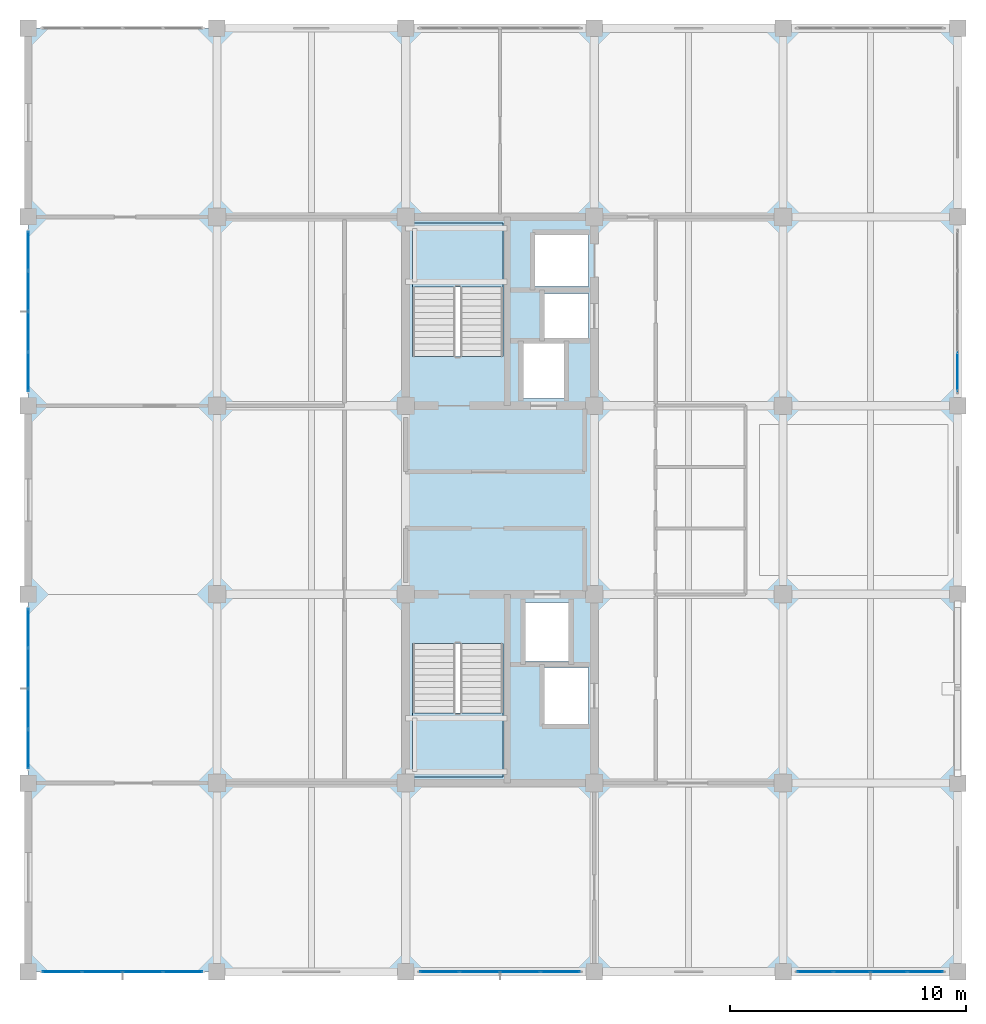
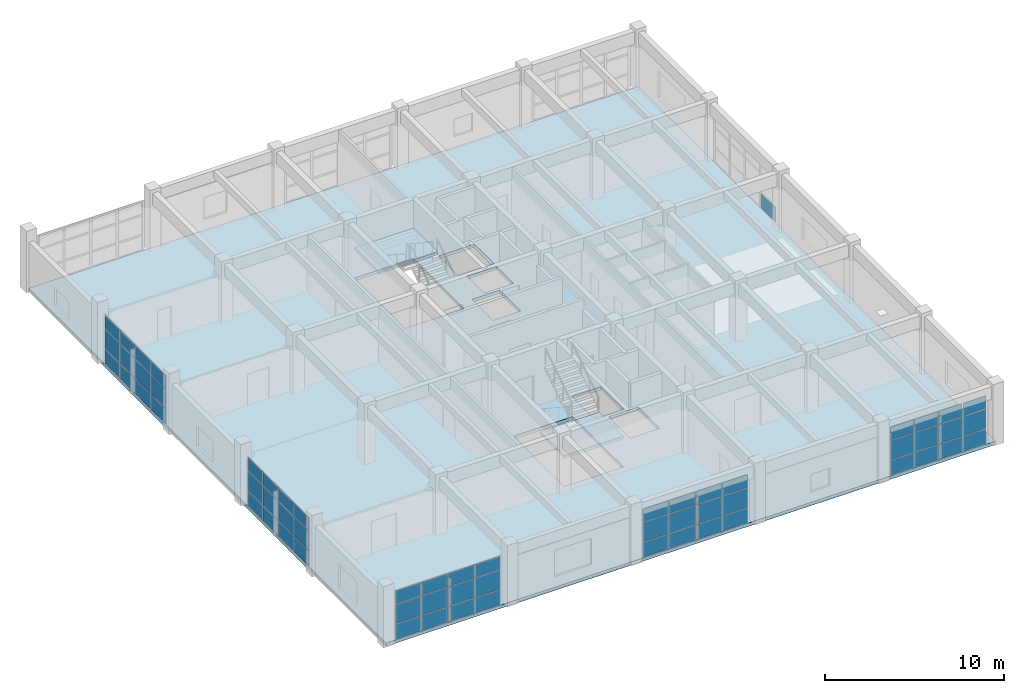
# One storey, part 19 of 27: 61 plates, 3 slabs, 8 elements without a shape of their own.
"""IFC4 building model written with IfcOpenShell, lengths in metres."""

from ifc_helpers import new_model, si_unit, direction, frame, origin, origin_2d, place, context, subcontext, project, spatial, polyline, rectangle, outline, extrude, material, layer, layer_set, type_object, element, aggregate, save


model = new_model("IFC4")

# Units and contexts
model_context = context("Model", 3, precision=1e-05, world=origin(), true_north=direction((0.0, 1.0)))
body_context = subcontext(model_context, "Body", "Model", "MODEL_VIEW")
ifc_project = project(units=[si_unit("LENGTHUNIT", "METRE"), si_unit("AREAUNIT", "SQUARE_METRE"), si_unit("VOLUMEUNIT", "CUBIC_METRE"), si_unit("PLANEANGLEUNIT", "RADIAN"), si_unit("MASSUNIT", "GRAM", prefix="KILO")], contexts=[model_context])

# Site, building, storey
site_placement = place(None, origin())
site = spatial("IfcSite", under=ifc_project, at=site_placement, CompositionType="ELEMENT")
building_placement = place(site_placement, origin())
building = spatial("IfcBuilding", under=site, at=building_placement, Name="Canggui Botanical Conservatory", CompositionType="ELEMENT")
storey_placement = place(building_placement, frame((0.0, 0.0, 36.0)))
storey = spatial("IfcBuildingStorey", under=building, at=storey_placement, Name="L09", CompositionType="ELEMENT", Elevation=36.0)

# Curtain wall, plates
ifc_material_1 = material(Name="Thermally Broken Aluminium", Category="aluminium")
ifc_layer_1 = layer(ifc_material_1, 0.14990234375, Name="Thermally Broken Aluminium", Category="aluminium")
ifc_layer_set_1 = layer_set([ifc_layer_1], Name="Thermally Broken Aluminium")
curtain_wall_type = type_object("IfcCurtainWallType", Name="CW-UNIT-C", PredefinedType="USERDEFINED", material=ifc_layer_set_1)
curtain_wall_1_placement = place(storey_placement, origin())
curtain_wall_1 = element("IfcCurtainWall", 1, at=curtain_wall_1_placement, inside=storey, type_object=curtain_wall_type, Name="Facade Curtain Wall CW-TWR-L09-01", ObjectType="UNITISED CURTAIN WALL", PredefinedType="USERDEFINED")
ifc_material_2 = material(Name="Low-E Insulated Glass", Category="glass")
ifc_layer_2 = layer(ifc_material_2, 0.033935546875, Name="Low-E Insulated Glass", Category="glass")
ifc_layer_set_2 = layer_set([ifc_layer_2], Name="Low-E Insulated Glass")
plate_type = type_object("IfcPlateType", Name="CWP-03", PredefinedType="CURTAIN_PANEL", material=ifc_layer_set_2)
plate_1_placement = place(storey_placement, frame((176.0400390625, 34.0, 0.05517578125), z_axis=(0.0, 0.0, 1.0), x_axis=(-1.0, 0.0, 0.0)))
plate_1 = element("IfcPlate", 2, at=plate_1_placement, type_object=plate_type, Name="CW-03 panel 1.1", PredefinedType="CURTAIN_PANEL", context=body_context, shape_type="SweptSolid", body=[
    extrude(rectangle(XDim=1.47998046875, YDim=0.033935546875, at=origin_2d()), origin(), (0.0, 0.0, 1.0), 1.005615234375),
])
plate_2_placement = place(storey_placement, frame((176.0400390625, 34.0, 1.11572265625), z_axis=(0.0, 0.0, 1.0), x_axis=(-1.0, 0.0, 0.0)))
plate_2 = element("IfcPlate", 3, at=plate_2_placement, type_object=plate_type, Name="CW-03 panel 1.2", PredefinedType="CURTAIN_PANEL", context=body_context, shape_type="SweptSolid", body=[
    extrude(rectangle(XDim=1.47998046875, YDim=0.033935546875, at=origin_2d()), origin(), (0.0, 0.0, 1.0), 1.304931640625),
])
plate_3_placement = place(storey_placement, frame((176.0400390625, 34.0, 2.4755859375), z_axis=(0.0, 0.0, 1.0), x_axis=(-1.0, 0.0, 0.0)))
plate_3 = element("IfcPlate", 4, at=plate_3_placement, type_object=plate_type, Name="CW-03 panel 1.3", PredefinedType="CURTAIN_PANEL", context=body_context, shape_type="SweptSolid", body=[
    extrude(rectangle(XDim=1.47998046875, YDim=0.033935546875, at=origin_2d()), origin(), (0.0, 0.0, 1.0), 0.869384765625),
])
plate_4_placement = place(storey_placement, frame((174.485107421875, 34.0, 0.05517578125), z_axis=(0.0, 0.0, 1.0), x_axis=(-1.0, 0.0, 0.0)))
plate_4 = element("IfcPlate", 5, at=plate_4_placement, type_object=plate_type, Name="CW-03 panel 2.1", PredefinedType="CURTAIN_PANEL", context=body_context, shape_type="SweptSolid", body=[
    extrude(rectangle(XDim=1.510009765625, YDim=0.033935546875, at=origin_2d()), origin(), (0.0, 0.0, 1.0), 1.005615234375),
])
plate_5_placement = place(storey_placement, frame((174.485107421875, 34.0, 1.11572265625), z_axis=(0.0, 0.0, 1.0), x_axis=(-1.0, 0.0, 0.0)))
plate_5 = element("IfcPlate", 6, at=plate_5_placement, type_object=plate_type, Name="CW-03 panel 2.2", PredefinedType="CURTAIN_PANEL", context=body_context, shape_type="SweptSolid", body=[
    extrude(rectangle(XDim=1.510009765625, YDim=0.033935546875, at=origin_2d()), origin(), (0.0, 0.0, 1.0), 1.304931640625),
])
plate_6_placement = place(storey_placement, frame((174.485107421875, 34.0, 2.4755859375), z_axis=(0.0, 0.0, 1.0), x_axis=(-1.0, 0.0, 0.0)))
plate_6 = element("IfcPlate", 7, at=plate_6_placement, type_object=plate_type, Name="CW-03 panel 2.3", PredefinedType="CURTAIN_PANEL", context=body_context, shape_type="SweptSolid", body=[
    extrude(rectangle(XDim=1.510009765625, YDim=0.033935546875, at=origin_2d()), origin(), (0.0, 0.0, 1.0), 0.869384765625),
])
plate_7_placement = place(storey_placement, frame((172.9150390625, 34.0, 0.05517578125), z_axis=(0.0, 0.0, 1.0), x_axis=(-1.0, 0.0, 0.0)))
plate_7 = element("IfcPlate", 8, at=plate_7_placement, type_object=plate_type, Name="CW-03 panel 3.1", PredefinedType="CURTAIN_PANEL", context=body_context, shape_type="SweptSolid", body=[
    extrude(rectangle(XDim=1.510009765625, YDim=0.033935546875, at=origin_2d()), origin(), (0.0, 0.0, 1.0), 1.005615234375),
])
plate_8_placement = place(storey_placement, frame((172.9150390625, 34.0, 1.11572265625), z_axis=(0.0, 0.0, 1.0), x_axis=(-1.0, 0.0, 0.0)))
plate_8 = element("IfcPlate", 9, at=plate_8_placement, type_object=plate_type, Name="CW-03 panel 3.2", PredefinedType="CURTAIN_PANEL", context=body_context, shape_type="SweptSolid", body=[
    extrude(rectangle(XDim=1.510009765625, YDim=0.033935546875, at=origin_2d()), origin(), (0.0, 0.0, 1.0), 1.304931640625),
])
plate_9_placement = place(storey_placement, frame((172.9150390625, 34.0, 2.4755859375), z_axis=(0.0, 0.0, 1.0), x_axis=(-1.0, 0.0, 0.0)))
plate_9 = element("IfcPlate", 10, at=plate_9_placement, type_object=plate_type, Name="CW-03 panel 3.3", PredefinedType="CURTAIN_PANEL", context=body_context, shape_type="SweptSolid", body=[
    extrude(rectangle(XDim=1.510009765625, YDim=0.033935546875, at=origin_2d()), origin(), (0.0, 0.0, 1.0), 0.869384765625),
])
plate_10_placement = place(storey_placement, frame((171.360107421875, 34.0, 0.05517578125), z_axis=(0.0, 0.0, 1.0), x_axis=(-1.0, 0.0, 0.0)))
plate_10 = element("IfcPlate", 11, at=plate_10_placement, type_object=plate_type, Name="CW-03 panel 4.1", PredefinedType="CURTAIN_PANEL", context=body_context, shape_type="SweptSolid", body=[
    extrude(rectangle(XDim=1.47998046875, YDim=0.033935546875, at=origin_2d()), origin(), (0.0, 0.0, 1.0), 1.005615234375),
])
plate_11_placement = place(storey_placement, frame((171.360107421875, 34.0, 1.11572265625), z_axis=(0.0, 0.0, 1.0), x_axis=(-1.0, 0.0, 0.0)))
plate_11 = element("IfcPlate", 12, at=plate_11_placement, type_object=plate_type, Name="CW-03 panel 4.2", PredefinedType="CURTAIN_PANEL", context=body_context, shape_type="SweptSolid", body=[
    extrude(rectangle(XDim=1.47998046875, YDim=0.033935546875, at=origin_2d()), origin(), (0.0, 0.0, 1.0), 1.304931640625),
])
plate_12_placement = place(storey_placement, frame((171.360107421875, 34.0, 2.4755859375), z_axis=(0.0, 0.0, 1.0), x_axis=(-1.0, 0.0, 0.0)))
plate_12 = element("IfcPlate", 13, at=plate_12_placement, type_object=plate_type, Name="CW-03 panel 4.3", PredefinedType="CURTAIN_PANEL", context=body_context, shape_type="SweptSolid", body=[
    extrude(rectangle(XDim=1.47998046875, YDim=0.033935546875, at=origin_2d()), origin(), (0.0, 0.0, 1.0), 0.869384765625),
])
aggregate(curtain_wall_1, [plate_1, plate_2, plate_3, plate_4, plate_5, plate_6, plate_7, plate_8, plate_9, plate_10, plate_11, plate_12])

curtain_wall_2_placement = place(storey_placement, origin())
curtain_wall_2 = element("IfcCurtainWall", 14, at=curtain_wall_2_placement, inside=storey, type_object=curtain_wall_type, Name="Facade Curtain Wall CW-TWR-L09-03", ObjectType="UNITISED CURTAIN WALL", PredefinedType="USERDEFINED")
plate_13_placement = place(storey_placement, frame((160.56494140625, 34.0, 0.05517578125), z_axis=(0.0, 0.0, 1.0), x_axis=(-1.0, 0.0, 0.0)))
plate_13 = element("IfcPlate", 15, at=plate_13_placement, type_object=plate_type, Name="CW-03 panel 1.1", PredefinedType="CURTAIN_PANEL", context=body_context, shape_type="SweptSolid", body=[
    extrude(rectangle(XDim=1.6298828125, YDim=0.033935546875, at=origin_2d()), origin(), (0.0, 0.0, 1.0), 1.005615234375),
])
plate_14_placement = place(storey_placement, frame((160.56494140625, 34.0, 1.11572265625), z_axis=(0.0, 0.0, 1.0), x_axis=(-1.0, 0.0, 0.0)))
plate_14 = element("IfcPlate", 16, at=plate_14_placement, type_object=plate_type, Name="CW-03 panel 1.2", PredefinedType="CURTAIN_PANEL", context=body_context, shape_type="SweptSolid", body=[
    extrude(rectangle(XDim=1.6298828125, YDim=0.033935546875, at=origin_2d()), origin(), (0.0, 0.0, 1.0), 1.304931640625),
])
plate_15_placement = place(storey_placement, frame((160.56494140625, 34.0, 2.4755859375), z_axis=(0.0, 0.0, 1.0), x_axis=(-1.0, 0.0, 0.0)))
plate_15 = element("IfcPlate", 17, at=plate_15_placement, type_object=plate_type, Name="CW-03 panel 1.3", PredefinedType="CURTAIN_PANEL", context=body_context, shape_type="SweptSolid", body=[
    extrude(rectangle(XDim=1.6298828125, YDim=0.033935546875, at=origin_2d()), origin(), (0.0, 0.0, 1.0), 0.869384765625),
])
plate_16_placement = place(storey_placement, frame((158.860107421875, 34.0, 0.05517578125), z_axis=(0.0, 0.0, 1.0), x_axis=(-1.0, 0.0, 0.0)))
plate_16 = element("IfcPlate", 18, at=plate_16_placement, type_object=plate_type, Name="CW-03 panel 2.1", PredefinedType="CURTAIN_PANEL", context=body_context, shape_type="SweptSolid", body=[
    extrude(rectangle(XDim=1.659912109375, YDim=0.033935546875, at=origin_2d()), origin(), (0.0, 0.0, 1.0), 1.005615234375),
])
plate_17_placement = place(storey_placement, frame((158.860107421875, 34.0, 1.11572265625), z_axis=(0.0, 0.0, 1.0), x_axis=(-1.0, 0.0, 0.0)))
plate_17 = element("IfcPlate", 19, at=plate_17_placement, type_object=plate_type, Name="CW-03 panel 2.2", PredefinedType="CURTAIN_PANEL", context=body_context, shape_type="SweptSolid", body=[
    extrude(rectangle(XDim=1.659912109375, YDim=0.033935546875, at=origin_2d()), origin(), (0.0, 0.0, 1.0), 1.304931640625),
])
plate_18_placement = place(storey_placement, frame((158.860107421875, 34.0, 2.4755859375), z_axis=(0.0, 0.0, 1.0), x_axis=(-1.0, 0.0, 0.0)))
plate_18 = element("IfcPlate", 20, at=plate_18_placement, type_object=plate_type, Name="CW-03 panel 2.3", PredefinedType="CURTAIN_PANEL", context=body_context, shape_type="SweptSolid", body=[
    extrude(rectangle(XDim=1.659912109375, YDim=0.033935546875, at=origin_2d()), origin(), (0.0, 0.0, 1.0), 0.869384765625),
])
plate_19_placement = place(storey_placement, frame((157.139892578125, 34.0, 0.05517578125), z_axis=(0.0, 0.0, 1.0), x_axis=(-1.0, 0.0, 0.0)))
plate_19 = element("IfcPlate", 21, at=plate_19_placement, type_object=plate_type, Name="CW-03 panel 3.1", PredefinedType="CURTAIN_PANEL", context=body_context, shape_type="SweptSolid", body=[
    extrude(rectangle(XDim=1.659912109375, YDim=0.033935546875, at=origin_2d()), origin(), (0.0, 0.0, 1.0), 1.005615234375),
])
plate_20_placement = place(storey_placement, frame((157.139892578125, 34.0, 1.11572265625), z_axis=(0.0, 0.0, 1.0), x_axis=(-1.0, 0.0, 0.0)))
plate_20 = element("IfcPlate", 22, at=plate_20_placement, type_object=plate_type, Name="CW-03 panel 3.2", PredefinedType="CURTAIN_PANEL", context=body_context, shape_type="SweptSolid", body=[
    extrude(rectangle(XDim=1.659912109375, YDim=0.033935546875, at=origin_2d()), origin(), (0.0, 0.0, 1.0), 1.304931640625),
])
plate_21_placement = place(storey_placement, frame((157.139892578125, 34.0, 2.4755859375), z_axis=(0.0, 0.0, 1.0), x_axis=(-1.0, 0.0, 0.0)))
plate_21 = element("IfcPlate", 23, at=plate_21_placement, type_object=plate_type, Name="CW-03 panel 3.3", PredefinedType="CURTAIN_PANEL", context=body_context, shape_type="SweptSolid", body=[
    extrude(rectangle(XDim=1.659912109375, YDim=0.033935546875, at=origin_2d()), origin(), (0.0, 0.0, 1.0), 0.869384765625),
])
plate_22_placement = place(storey_placement, frame((155.43505859375, 34.0, 0.05517578125), z_axis=(0.0, 0.0, 1.0), x_axis=(-1.0, 0.0, 0.0)))
plate_22 = element("IfcPlate", 24, at=plate_22_placement, type_object=plate_type, Name="CW-03 panel 4.1", PredefinedType="CURTAIN_PANEL", context=body_context, shape_type="SweptSolid", body=[
    extrude(rectangle(XDim=1.6298828125, YDim=0.033935546875, at=origin_2d()), origin(), (0.0, 0.0, 1.0), 1.005615234375),
])
plate_23_placement = place(storey_placement, frame((155.43505859375, 34.0, 1.11572265625), z_axis=(0.0, 0.0, 1.0), x_axis=(-1.0, 0.0, 0.0)))
plate_23 = element("IfcPlate", 25, at=plate_23_placement, type_object=plate_type, Name="CW-03 panel 4.2", PredefinedType="CURTAIN_PANEL", context=body_context, shape_type="SweptSolid", body=[
    extrude(rectangle(XDim=1.6298828125, YDim=0.033935546875, at=origin_2d()), origin(), (0.0, 0.0, 1.0), 1.304931640625),
])
plate_24_placement = place(storey_placement, frame((155.43505859375, 34.0, 2.4755859375), z_axis=(0.0, 0.0, 1.0), x_axis=(-1.0, 0.0, 0.0)))
plate_24 = element("IfcPlate", 26, at=plate_24_placement, type_object=plate_type, Name="CW-03 panel 4.3", PredefinedType="CURTAIN_PANEL", context=body_context, shape_type="SweptSolid", body=[
    extrude(rectangle(XDim=1.6298828125, YDim=0.033935546875, at=origin_2d()), origin(), (0.0, 0.0, 1.0), 0.869384765625),
])
aggregate(curtain_wall_2, [plate_13, plate_14, plate_15, plate_16, plate_17, plate_18, plate_19, plate_20, plate_21, plate_22, plate_23, plate_24])

curtain_wall_3_placement = place(storey_placement, origin())
curtain_wall_3 = element("IfcCurtainWall", 27, at=curtain_wall_3_placement, inside=storey, type_object=curtain_wall_type, Name="Facade Curtain Wall CW-TWR-L09-05", ObjectType="UNITISED CURTAIN WALL", PredefinedType="USERDEFINED")
plate_25_placement = place(storey_placement, frame((144.56494140625, 34.0, 0.05517578125), z_axis=(0.0, 0.0, 1.0), x_axis=(-1.0, 0.0, 0.0)))
plate_25 = element("IfcPlate", 28, at=plate_25_placement, type_object=plate_type, Name="CW-03 panel 1.1", PredefinedType="CURTAIN_PANEL", context=body_context, shape_type="SweptSolid", body=[
    extrude(rectangle(XDim=1.6298828125, YDim=0.033935546875, at=origin_2d()), origin(), (0.0, 0.0, 1.0), 1.005615234375),
])
plate_26_placement = place(storey_placement, frame((144.56494140625, 34.0, 1.11572265625), z_axis=(0.0, 0.0, 1.0), x_axis=(-1.0, 0.0, 0.0)))
plate_26 = element("IfcPlate", 29, at=plate_26_placement, type_object=plate_type, Name="CW-03 panel 1.2", PredefinedType="CURTAIN_PANEL", context=body_context, shape_type="SweptSolid", body=[
    extrude(rectangle(XDim=1.6298828125, YDim=0.033935546875, at=origin_2d()), origin(), (0.0, 0.0, 1.0), 1.304931640625),
])
plate_27_placement = place(storey_placement, frame((144.56494140625, 34.0, 2.4755859375), z_axis=(0.0, 0.0, 1.0), x_axis=(-1.0, 0.0, 0.0)))
plate_27 = element("IfcPlate", 30, at=plate_27_placement, type_object=plate_type, Name="CW-03 panel 1.3", PredefinedType="CURTAIN_PANEL", context=body_context, shape_type="SweptSolid", body=[
    extrude(rectangle(XDim=1.6298828125, YDim=0.033935546875, at=origin_2d()), origin(), (0.0, 0.0, 1.0), 0.869384765625),
])
plate_28_placement = place(storey_placement, frame((142.860107421875, 34.0, 0.05517578125), z_axis=(0.0, 0.0, 1.0), x_axis=(-1.0, 0.0, 0.0)))
plate_28 = element("IfcPlate", 31, at=plate_28_placement, type_object=plate_type, Name="CW-03 panel 2.1", PredefinedType="CURTAIN_PANEL", context=body_context, shape_type="SweptSolid", body=[
    extrude(rectangle(XDim=1.659912109375, YDim=0.033935546875, at=origin_2d()), origin(), (0.0, 0.0, 1.0), 1.005615234375),
])
plate_29_placement = place(storey_placement, frame((142.860107421875, 34.0, 1.11572265625), z_axis=(0.0, 0.0, 1.0), x_axis=(-1.0, 0.0, 0.0)))
plate_29 = element("IfcPlate", 32, at=plate_29_placement, type_object=plate_type, Name="CW-03 panel 2.2", PredefinedType="CURTAIN_PANEL", context=body_context, shape_type="SweptSolid", body=[
    extrude(rectangle(XDim=1.659912109375, YDim=0.033935546875, at=origin_2d()), origin(), (0.0, 0.0, 1.0), 1.304931640625),
])
plate_30_placement = place(storey_placement, frame((142.860107421875, 34.0, 2.4755859375), z_axis=(0.0, 0.0, 1.0), x_axis=(-1.0, 0.0, 0.0)))
plate_30 = element("IfcPlate", 33, at=plate_30_placement, type_object=plate_type, Name="CW-03 panel 2.3", PredefinedType="CURTAIN_PANEL", context=body_context, shape_type="SweptSolid", body=[
    extrude(rectangle(XDim=1.659912109375, YDim=0.033935546875, at=origin_2d()), origin(), (0.0, 0.0, 1.0), 0.869384765625),
])
plate_31_placement = place(storey_placement, frame((141.139892578125, 34.0, 0.05517578125), z_axis=(0.0, 0.0, 1.0), x_axis=(-1.0, 0.0, 0.0)))
plate_31 = element("IfcPlate", 34, at=plate_31_placement, type_object=plate_type, Name="CW-03 panel 3.1", PredefinedType="CURTAIN_PANEL", context=body_context, shape_type="SweptSolid", body=[
    extrude(rectangle(XDim=1.659912109375, YDim=0.033935546875, at=origin_2d()), origin(), (0.0, 0.0, 1.0), 1.005615234375),
])
plate_32_placement = place(storey_placement, frame((141.139892578125, 34.0, 1.11572265625), z_axis=(0.0, 0.0, 1.0), x_axis=(-1.0, 0.0, 0.0)))
plate_32 = element("IfcPlate", 35, at=plate_32_placement, type_object=plate_type, Name="CW-03 panel 3.2", PredefinedType="CURTAIN_PANEL", context=body_context, shape_type="SweptSolid", body=[
    extrude(rectangle(XDim=1.659912109375, YDim=0.033935546875, at=origin_2d()), origin(), (0.0, 0.0, 1.0), 1.304931640625),
])
plate_33_placement = place(storey_placement, frame((141.139892578125, 34.0, 2.4755859375), z_axis=(0.0, 0.0, 1.0), x_axis=(-1.0, 0.0, 0.0)))
plate_33 = element("IfcPlate", 36, at=plate_33_placement, type_object=plate_type, Name="CW-03 panel 3.3", PredefinedType="CURTAIN_PANEL", context=body_context, shape_type="SweptSolid", body=[
    extrude(rectangle(XDim=1.659912109375, YDim=0.033935546875, at=origin_2d()), origin(), (0.0, 0.0, 1.0), 0.869384765625),
])
plate_34_placement = place(storey_placement, frame((139.43505859375, 34.0, 0.05517578125), z_axis=(0.0, 0.0, 1.0), x_axis=(-1.0, 0.0, 0.0)))
plate_34 = element("IfcPlate", 37, at=plate_34_placement, type_object=plate_type, Name="CW-03 panel 4.1", PredefinedType="CURTAIN_PANEL", context=body_context, shape_type="SweptSolid", body=[
    extrude(rectangle(XDim=1.6298828125, YDim=0.033935546875, at=origin_2d()), origin(), (0.0, 0.0, 1.0), 1.005615234375),
])
plate_35_placement = place(storey_placement, frame((139.43505859375, 34.0, 1.11572265625), z_axis=(0.0, 0.0, 1.0), x_axis=(-1.0, 0.0, 0.0)))
plate_35 = element("IfcPlate", 38, at=plate_35_placement, type_object=plate_type, Name="CW-03 panel 4.2", PredefinedType="CURTAIN_PANEL", context=body_context, shape_type="SweptSolid", body=[
    extrude(rectangle(XDim=1.6298828125, YDim=0.033935546875, at=origin_2d()), origin(), (0.0, 0.0, 1.0), 1.304931640625),
])
plate_36_placement = place(storey_placement, frame((139.43505859375, 34.0, 2.4755859375), z_axis=(0.0, 0.0, 1.0), x_axis=(-1.0, 0.0, 0.0)))
plate_36 = element("IfcPlate", 39, at=plate_36_placement, type_object=plate_type, Name="CW-03 panel 4.3", PredefinedType="CURTAIN_PANEL", context=body_context, shape_type="SweptSolid", body=[
    extrude(rectangle(XDim=1.6298828125, YDim=0.033935546875, at=origin_2d()), origin(), (0.0, 0.0, 1.0), 0.869384765625),
])
aggregate(curtain_wall_3, [plate_25, plate_26, plate_27, plate_28, plate_29, plate_30, plate_31, plate_32, plate_33, plate_34, plate_35, plate_36])

curtain_wall_4_placement = place(storey_placement, origin())
curtain_wall_4 = element("IfcCurtainWall", 40, at=curtain_wall_4_placement, inside=storey, type_object=curtain_wall_type, Name="Facade Curtain Wall CW-TWR-L09-07", ObjectType="UNITISED CURTAIN WALL", PredefinedType="USERDEFINED")
plate_37_placement = place(storey_placement, frame((138.0, 43.43505859375, 0.05517578125), z_axis=(0.0, 0.0, 1.0), x_axis=(0.0, 1.0, 0.0)))
plate_37 = element("IfcPlate", 41, at=plate_37_placement, type_object=plate_type, Name="CW-03 panel 1.1", PredefinedType="CURTAIN_PANEL", context=body_context, shape_type="SweptSolid", body=[
    extrude(rectangle(XDim=1.6298828125, YDim=0.033935546875, at=origin_2d()), origin(), (0.0, 0.0, 1.0), 1.005615234375),
])
plate_38_placement = place(storey_placement, frame((138.0, 43.43505859375, 1.11572265625), z_axis=(0.0, 0.0, 1.0), x_axis=(0.0, 1.0, 0.0)))
plate_38 = element("IfcPlate", 42, at=plate_38_placement, type_object=plate_type, Name="CW-03 panel 1.2", PredefinedType="CURTAIN_PANEL", context=body_context, shape_type="SweptSolid", body=[
    extrude(rectangle(XDim=1.6298828125, YDim=0.033935546875, at=origin_2d()), origin(), (0.0, 0.0, 1.0), 1.304931640625),
])
plate_39_placement = place(storey_placement, frame((138.0, 43.43505859375, 2.4755859375), z_axis=(0.0, 0.0, 1.0), x_axis=(0.0, 1.0, 0.0)))
plate_39 = element("IfcPlate", 43, at=plate_39_placement, type_object=plate_type, Name="CW-03 panel 1.3", PredefinedType="CURTAIN_PANEL", context=body_context, shape_type="SweptSolid", body=[
    extrude(rectangle(XDim=1.6298828125, YDim=0.033935546875, at=origin_2d()), origin(), (0.0, 0.0, 1.0), 0.869384765625),
])
plate_40_placement = place(storey_placement, frame((138.0, 45.139892578125, 0.05517578125), z_axis=(0.0, 0.0, 1.0), x_axis=(0.0, 1.0, 0.0)))
plate_40 = element("IfcPlate", 44, at=plate_40_placement, type_object=plate_type, Name="CW-03 panel 2.1", PredefinedType="CURTAIN_PANEL", context=body_context, shape_type="SweptSolid", body=[
    extrude(rectangle(XDim=1.659912109375, YDim=0.033935546875, at=origin_2d()), origin(), (0.0, 0.0, 1.0), 1.005615234375),
])
plate_41_placement = place(storey_placement, frame((138.0, 45.139892578125, 1.11572265625), z_axis=(0.0, 0.0, 1.0), x_axis=(0.0, 1.0, 0.0)))
plate_41 = element("IfcPlate", 45, at=plate_41_placement, type_object=plate_type, Name="CW-03 panel 2.2", PredefinedType="CURTAIN_PANEL", context=body_context, shape_type="SweptSolid", body=[
    extrude(rectangle(XDim=1.659912109375, YDim=0.033935546875, at=origin_2d()), origin(), (0.0, 0.0, 1.0), 1.304931640625),
])
plate_42_placement = place(storey_placement, frame((138.0, 45.139892578125, 2.4755859375), z_axis=(0.0, 0.0, 1.0), x_axis=(0.0, 1.0, 0.0)))
plate_42 = element("IfcPlate", 46, at=plate_42_placement, type_object=plate_type, Name="CW-03 panel 2.3", PredefinedType="CURTAIN_PANEL", context=body_context, shape_type="SweptSolid", body=[
    extrude(rectangle(XDim=1.659912109375, YDim=0.033935546875, at=origin_2d()), origin(), (0.0, 0.0, 1.0), 0.869384765625),
])
plate_43_placement = place(storey_placement, frame((138.0, 46.860107421875, 0.05517578125), z_axis=(0.0, 0.0, 1.0), x_axis=(0.0, 1.0, 0.0)))
plate_43 = element("IfcPlate", 47, at=plate_43_placement, type_object=plate_type, Name="CW-03 panel 3.1", PredefinedType="CURTAIN_PANEL", context=body_context, shape_type="SweptSolid", body=[
    extrude(rectangle(XDim=1.659912109375, YDim=0.033935546875, at=origin_2d()), origin(), (0.0, 0.0, 1.0), 1.005615234375),
])
plate_44_placement = place(storey_placement, frame((138.0, 46.860107421875, 1.11572265625), z_axis=(0.0, 0.0, 1.0), x_axis=(0.0, 1.0, 0.0)))
plate_44 = element("IfcPlate", 48, at=plate_44_placement, type_object=plate_type, Name="CW-03 panel 3.2", PredefinedType="CURTAIN_PANEL", context=body_context, shape_type="SweptSolid", body=[
    extrude(rectangle(XDim=1.659912109375, YDim=0.033935546875, at=origin_2d()), origin(), (0.0, 0.0, 1.0), 1.304931640625),
])
plate_45_placement = place(storey_placement, frame((138.0, 46.860107421875, 2.4755859375), z_axis=(0.0, 0.0, 1.0), x_axis=(0.0, 1.0, 0.0)))
plate_45 = element("IfcPlate", 49, at=plate_45_placement, type_object=plate_type, Name="CW-03 panel 3.3", PredefinedType="CURTAIN_PANEL", context=body_context, shape_type="SweptSolid", body=[
    extrude(rectangle(XDim=1.659912109375, YDim=0.033935546875, at=origin_2d()), origin(), (0.0, 0.0, 1.0), 0.869384765625),
])
plate_46_placement = place(storey_placement, frame((138.0, 48.56494140625, 0.05517578125), z_axis=(0.0, 0.0, 1.0), x_axis=(0.0, 1.0, 0.0)))
plate_46 = element("IfcPlate", 50, at=plate_46_placement, type_object=plate_type, Name="CW-03 panel 4.1", PredefinedType="CURTAIN_PANEL", context=body_context, shape_type="SweptSolid", body=[
    extrude(rectangle(XDim=1.6298828125, YDim=0.033935546875, at=origin_2d()), origin(), (0.0, 0.0, 1.0), 1.005615234375),
])
plate_47_placement = place(storey_placement, frame((138.0, 48.56494140625, 1.11572265625), z_axis=(0.0, 0.0, 1.0), x_axis=(0.0, 1.0, 0.0)))
plate_47 = element("IfcPlate", 51, at=plate_47_placement, type_object=plate_type, Name="CW-03 panel 4.2", PredefinedType="CURTAIN_PANEL", context=body_context, shape_type="SweptSolid", body=[
    extrude(rectangle(XDim=1.6298828125, YDim=0.033935546875, at=origin_2d()), origin(), (0.0, 0.0, 1.0), 1.304931640625),
])
plate_48_placement = place(storey_placement, frame((138.0, 48.56494140625, 2.4755859375), z_axis=(0.0, 0.0, 1.0), x_axis=(0.0, 1.0, 0.0)))
plate_48 = element("IfcPlate", 52, at=plate_48_placement, type_object=plate_type, Name="CW-03 panel 4.3", PredefinedType="CURTAIN_PANEL", context=body_context, shape_type="SweptSolid", body=[
    extrude(rectangle(XDim=1.6298828125, YDim=0.033935546875, at=origin_2d()), origin(), (0.0, 0.0, 1.0), 0.869384765625),
])
aggregate(curtain_wall_4, [plate_37, plate_38, plate_39, plate_40, plate_41, plate_42, plate_43, plate_44, plate_45, plate_46, plate_47, plate_48])

curtain_wall_5_placement = place(storey_placement, origin())
curtain_wall_5 = element("IfcCurtainWall", 53, at=curtain_wall_5_placement, inside=storey, type_object=curtain_wall_type, Name="Facade Curtain Wall CW-TWR-L09-09", ObjectType="UNITISED CURTAIN WALL", PredefinedType="USERDEFINED")
plate_49_placement = place(storey_placement, frame((138.0, 59.43505859375, 0.05517578125), z_axis=(0.0, 0.0, 1.0), x_axis=(0.0, 1.0, 0.0)))
plate_49 = element("IfcPlate", 54, at=plate_49_placement, type_object=plate_type, Name="CW-03 panel 1.1", PredefinedType="CURTAIN_PANEL", context=body_context, shape_type="SweptSolid", body=[
    extrude(rectangle(XDim=1.6298828125, YDim=0.033935546875, at=origin_2d()), origin(), (0.0, 0.0, 1.0), 1.005615234375),
])
plate_50_placement = place(storey_placement, frame((138.0, 59.43505859375, 1.11572265625), z_axis=(0.0, 0.0, 1.0), x_axis=(0.0, 1.0, 0.0)))
plate_50 = element("IfcPlate", 55, at=plate_50_placement, type_object=plate_type, Name="CW-03 panel 1.2", PredefinedType="CURTAIN_PANEL", context=body_context, shape_type="SweptSolid", body=[
    extrude(rectangle(XDim=1.6298828125, YDim=0.033935546875, at=origin_2d()), origin(), (0.0, 0.0, 1.0), 1.304931640625),
])
plate_51_placement = place(storey_placement, frame((138.0, 59.43505859375, 2.4755859375), z_axis=(0.0, 0.0, 1.0), x_axis=(0.0, 1.0, 0.0)))
plate_51 = element("IfcPlate", 56, at=plate_51_placement, type_object=plate_type, Name="CW-03 panel 1.3", PredefinedType="CURTAIN_PANEL", context=body_context, shape_type="SweptSolid", body=[
    extrude(rectangle(XDim=1.6298828125, YDim=0.033935546875, at=origin_2d()), origin(), (0.0, 0.0, 1.0), 0.869384765625),
])
plate_52_placement = place(storey_placement, frame((138.0, 61.139892578125, 0.05517578125), z_axis=(0.0, 0.0, 1.0), x_axis=(0.0, 1.0, 0.0)))
plate_52 = element("IfcPlate", 57, at=plate_52_placement, type_object=plate_type, Name="CW-03 panel 2.1", PredefinedType="CURTAIN_PANEL", context=body_context, shape_type="SweptSolid", body=[
    extrude(rectangle(XDim=1.659912109375, YDim=0.033935546875, at=origin_2d()), origin(), (0.0, 0.0, 1.0), 1.005615234375),
])
plate_53_placement = place(storey_placement, frame((138.0, 61.139892578125, 1.11572265625), z_axis=(0.0, 0.0, 1.0), x_axis=(0.0, 1.0, 0.0)))
plate_53 = element("IfcPlate", 58, at=plate_53_placement, type_object=plate_type, Name="CW-03 panel 2.2", PredefinedType="CURTAIN_PANEL", context=body_context, shape_type="SweptSolid", body=[
    extrude(rectangle(XDim=1.659912109375, YDim=0.033935546875, at=origin_2d()), origin(), (0.0, 0.0, 1.0), 1.304931640625),
])
plate_54_placement = place(storey_placement, frame((138.0, 61.139892578125, 2.4755859375), z_axis=(0.0, 0.0, 1.0), x_axis=(0.0, 1.0, 0.0)))
plate_54 = element("IfcPlate", 59, at=plate_54_placement, type_object=plate_type, Name="CW-03 panel 2.3", PredefinedType="CURTAIN_PANEL", context=body_context, shape_type="SweptSolid", body=[
    extrude(rectangle(XDim=1.659912109375, YDim=0.033935546875, at=origin_2d()), origin(), (0.0, 0.0, 1.0), 0.869384765625),
])
plate_55_placement = place(storey_placement, frame((138.0, 62.860107421875, 0.05517578125), z_axis=(0.0, 0.0, 1.0), x_axis=(0.0, 1.0, 0.0)))
plate_55 = element("IfcPlate", 60, at=plate_55_placement, type_object=plate_type, Name="CW-03 panel 3.1", PredefinedType="CURTAIN_PANEL", context=body_context, shape_type="SweptSolid", body=[
    extrude(rectangle(XDim=1.659912109375, YDim=0.033935546875, at=origin_2d()), origin(), (0.0, 0.0, 1.0), 1.005615234375),
])
plate_56_placement = place(storey_placement, frame((138.0, 62.860107421875, 1.11572265625), z_axis=(0.0, 0.0, 1.0), x_axis=(0.0, 1.0, 0.0)))
plate_56 = element("IfcPlate", 61, at=plate_56_placement, type_object=plate_type, Name="CW-03 panel 3.2", PredefinedType="CURTAIN_PANEL", context=body_context, shape_type="SweptSolid", body=[
    extrude(rectangle(XDim=1.659912109375, YDim=0.033935546875, at=origin_2d()), origin(), (0.0, 0.0, 1.0), 1.304931640625),
])
plate_57_placement = place(storey_placement, frame((138.0, 62.860107421875, 2.4755859375), z_axis=(0.0, 0.0, 1.0), x_axis=(0.0, 1.0, 0.0)))
plate_57 = element("IfcPlate", 62, at=plate_57_placement, type_object=plate_type, Name="CW-03 panel 3.3", PredefinedType="CURTAIN_PANEL", context=body_context, shape_type="SweptSolid", body=[
    extrude(rectangle(XDim=1.659912109375, YDim=0.033935546875, at=origin_2d()), origin(), (0.0, 0.0, 1.0), 0.869384765625),
])
plate_58_placement = place(storey_placement, frame((138.0, 64.56494140625, 0.05517578125), z_axis=(0.0, 0.0, 1.0), x_axis=(0.0, 1.0, 0.0)))
plate_58 = element("IfcPlate", 63, at=plate_58_placement, type_object=plate_type, Name="CW-03 panel 4.1", PredefinedType="CURTAIN_PANEL", context=body_context, shape_type="SweptSolid", body=[
    extrude(rectangle(XDim=1.6298828125, YDim=0.033935546875, at=origin_2d()), origin(), (0.0, 0.0, 1.0), 1.005615234375),
])
plate_59_placement = place(storey_placement, frame((138.0, 64.56494140625, 1.11572265625), z_axis=(0.0, 0.0, 1.0), x_axis=(0.0, 1.0, 0.0)))
plate_59 = element("IfcPlate", 64, at=plate_59_placement, type_object=plate_type, Name="CW-03 panel 4.2", PredefinedType="CURTAIN_PANEL", context=body_context, shape_type="SweptSolid", body=[
    extrude(rectangle(XDim=1.6298828125, YDim=0.033935546875, at=origin_2d()), origin(), (0.0, 0.0, 1.0), 1.304931640625),
])
plate_60_placement = place(storey_placement, frame((138.0, 64.56494140625, 2.4755859375), z_axis=(0.0, 0.0, 1.0), x_axis=(0.0, 1.0, 0.0)))
plate_60 = element("IfcPlate", 65, at=plate_60_placement, type_object=plate_type, Name="CW-03 panel 4.3", PredefinedType="CURTAIN_PANEL", context=body_context, shape_type="SweptSolid", body=[
    extrude(rectangle(XDim=1.6298828125, YDim=0.033935546875, at=origin_2d()), origin(), (0.0, 0.0, 1.0), 0.869384765625),
])
aggregate(curtain_wall_5, [plate_49, plate_50, plate_51, plate_52, plate_53, plate_54, plate_55, plate_56, plate_57, plate_58, plate_59, plate_60])

# Curtain wall, plate
curtain_wall_6_placement = place(storey_placement, origin())
curtain_wall_6 = element("IfcCurtainWall", 66, at=curtain_wall_6_placement, inside=storey, type_object=curtain_wall_type, Name="Facade Curtain Wall CW-TWR-L09-17", ObjectType="UNITISED CURTAIN WALL", PredefinedType="USERDEFINED")
plate_61_placement = place(storey_placement, frame((177.39990234375, 59.43505859375, 0.05517578125), z_axis=(0.0, 0.0, 1.0), x_axis=(0.0, -1.0, 0.0)))
plate_61 = element("IfcPlate", 67, at=plate_61_placement, type_object=plate_type, Name="CW-03 panel 4.1", PredefinedType="CURTAIN_PANEL", context=body_context, shape_type="SweptSolid", body=[
    extrude(rectangle(XDim=1.6298828125, YDim=0.033935546875, at=origin_2d()), origin(), (0.0, 0.0, 1.0), 1.005615234375),
])
aggregate(curtain_wall_6, [plate_61])

# Slab
ifc_material_3 = material(Name="Concrete C35", Category="concrete")
ifc_layer_3 = layer(ifc_material_3, 0.219970703125, Name="Concrete C35", Category="concrete")
ifc_layer_set_3 = layer_set([ifc_layer_3], Name="Concrete C35")
slab_type_1 = type_object("IfcSlabType", Name="SLAB-F220", PredefinedType="FLOOR", material=ifc_layer_set_3)
slab_1_placement = place(storey_placement, frame((0.0, 0.0, -0.219970703125)))
element("IfcSlab", 68, at=slab_1_placement, inside=storey, type_object=slab_type_1, Name="Research Tower L09 Floor Slab", PredefinedType="FLOOR", context=body_context, shape_type="SweptSolid", body=[
    extrude(outline(polyline([(138.0, 34.0), (177.39990234375, 34.0), (177.39990234375, 74.0), (138.0, 74.0), (138.0, 34.0)]), holes=[polyline([(154.300048828125, 47.91943359375), (154.300048828125, 42.260009765625), (158.1201171875, 42.260009765625), (158.1201171875, 47.91943359375), (154.300048828125, 47.91943359375)]), polyline([(158.1201171875, 60.08056640625), (158.1201171875, 65.739990234375), (154.300048828125, 65.739990234375), (154.300048828125, 60.08056640625), (158.1201171875, 60.08056640625)]), polyline([(159.050048828125, 47.14990234375), (160.949951171875, 47.14990234375), (160.949951171875, 49.64990234375), (159.050048828125, 49.64990234375), (159.050048828125, 47.14990234375)]), polyline([(159.85009765625, 44.5), (161.75, 44.5), (161.75, 46.89990234375), (159.85009765625, 46.89990234375), (159.85009765625, 44.5)]), polyline([(158.949951171875, 58.300048828125), (160.75, 58.300048828125), (160.75, 60.64990234375), (158.949951171875, 60.64990234375), (158.949951171875, 58.300048828125)]), polyline([(159.85009765625, 60.85009765625), (161.75, 60.85009765625), (161.75, 62.75), (159.85009765625, 62.75), (159.85009765625, 60.85009765625)]), polyline([(159.449951171875, 63.050048828125), (161.75, 63.050048828125), (161.75, 65.25), (159.449951171875, 65.25), (159.449951171875, 63.050048828125)])]), origin(), (0.0, 0.0, 1.0), 0.219970703125),
])

# Stair, slab
stair_type = type_object("IfcStairType", Name="STR-TYPE-6", PredefinedType="HALF_TURN_STAIR", material=ifc_material_3)
stair_1_placement = place(storey_placement, origin())
stair_1 = element("IfcStair", 69, at=stair_1_placement, inside=storey, type_object=stair_type, Name="L09 Tower South Smoke-Proof Stair ST-T1", PredefinedType="HALF_TURN_STAIR")
ifc_layer_4 = layer(ifc_material_3, 0.199951171875, Name="Concrete C35", Category="concrete")
ifc_layer_set_4 = layer_set([ifc_layer_4], Name="Concrete C35")
slab_type_2 = type_object("IfcSlabType", Name="SLAB-LND-200", PredefinedType="LANDING", material=ifc_layer_set_4)
slab_2_placement = place(storey_placement, frame((0.0, 0.0, 1.89990234375)))
slab_2 = element("IfcSlab", 70, at=slab_2_placement, type_object=slab_type_2, Name="ST-T1 landing 1", PredefinedType="LANDING", context=body_context, shape_type="SweptSolid", body=[
    extrude(outline(polyline([(154.300048828125, 44.972412109375), (154.300048828125, 42.260009765625), (158.1201171875, 42.260009765625), (158.1201171875, 44.972412109375), (154.300048828125, 44.972412109375)])), origin(), (0.0, 0.0, 1.0), 0.2001953125),
])
aggregate(stair_1, [slab_2])

stair_2_placement = place(storey_placement, origin())
stair_2 = element("IfcStair", 71, at=stair_2_placement, inside=storey, type_object=stair_type, Name="L09 Tower North Smoke-Proof Stair ST-T2", PredefinedType="HALF_TURN_STAIR")
slab_3_placement = place(storey_placement, frame((0.0, 0.0, 1.89990234375)))
slab_3 = element("IfcSlab", 72, at=slab_3_placement, type_object=slab_type_2, Name="ST-T2 landing 1", PredefinedType="LANDING", context=body_context, shape_type="SweptSolid", body=[
    extrude(outline(polyline([(158.1201171875, 63.027587890625), (158.1201171875, 65.739990234375), (154.300048828125, 65.739990234375), (154.300048828125, 63.027587890625), (158.1201171875, 63.027587890625)])), origin(), (0.0, 0.0, 1.0), 0.2001953125),
])
aggregate(stair_2, [slab_3])

save(model, "model.ifc")
